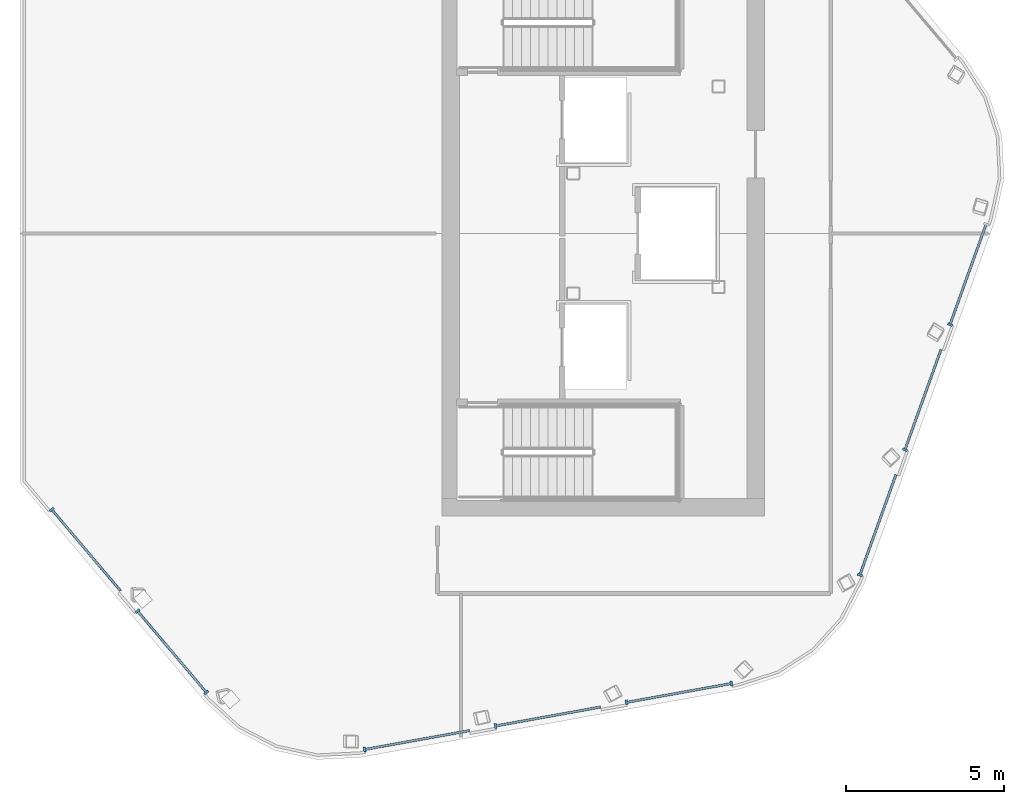
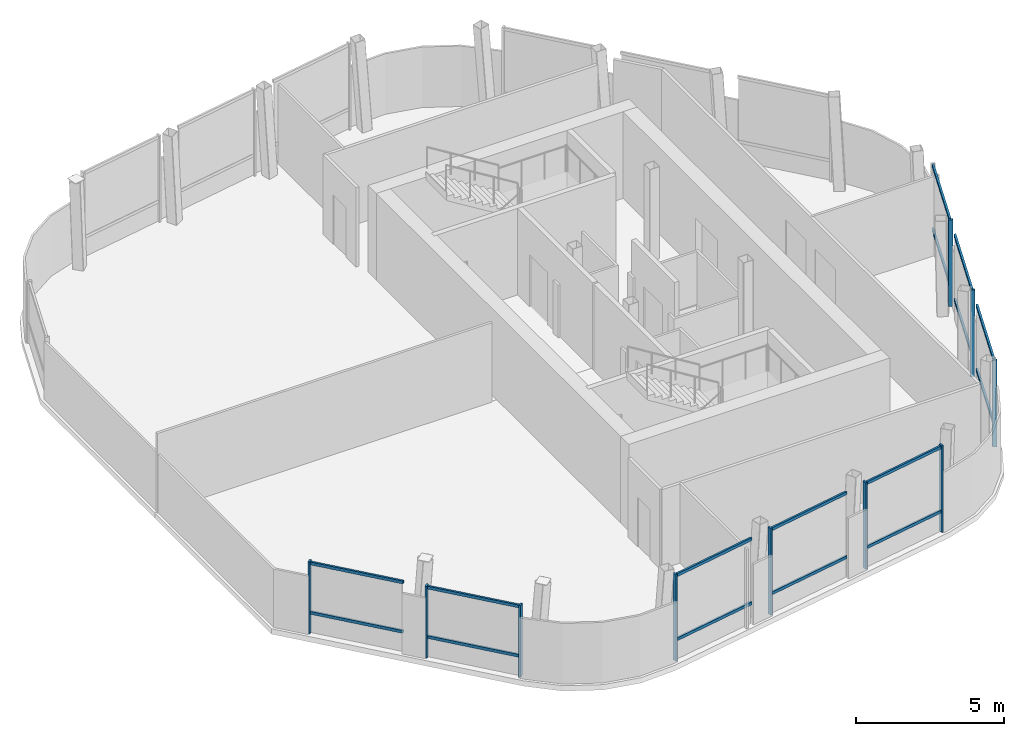
# One storey, part 2 of 8: 26 members, 3 elements without a shape of their own.
"""IFC4 building model written with IfcOpenShell, lengths in metres."""

from ifc_helpers import new_model, si_unit, direction, frame, origin, origin_2d, place, context, subcontext, project, spatial, rectangle, extrude, material, layer, layer_set, material_profile, profile_set, type_object, element, aggregate, save


model = new_model("IFC4")

# Units and contexts
model_context = context("Model", 3, precision=1e-05, world=origin(), true_north=direction((0.0, 1.0)))
body_context = subcontext(model_context, "Body", "Model", "MODEL_VIEW")
ifc_project = project(units=[si_unit("LENGTHUNIT", "METRE"), si_unit("AREAUNIT", "SQUARE_METRE"), si_unit("VOLUMEUNIT", "CUBIC_METRE"), si_unit("PLANEANGLEUNIT", "RADIAN"), si_unit("MASSUNIT", "GRAM", prefix="KILO")], contexts=[model_context])

# Site, building, storey
site_placement = place(None, origin())
site = spatial("IfcSite", under=ifc_project, at=site_placement, CompositionType="ELEMENT")
building_placement = place(site_placement, origin())
building = spatial("IfcBuilding", under=site, at=building_placement, Name="Valkerne Bourse Tower", CompositionType="ELEMENT")
storey_placement = place(building_placement, frame((0.0, 0.0, 326.800048828125)))
storey = spatial("IfcBuildingStorey", under=building, at=storey_placement, Name="L83", CompositionType="ELEMENT", Elevation=326.800048828125)

# Curtain wall, members
ifc_material = material(Name="Aluminium AA 6063-T6", Category="aluminium")
ifc_layer = layer(ifc_material, 0.25)
ifc_layer_set = layer_set([ifc_layer], Name="Aluminium AA 6063-T6")
curtain_wall_type = type_object("IfcCurtainWallType", Name="CW-06", PredefinedType="NOTDEFINED", material=ifc_layer_set)
curtain_wall_1_placement = place(storey_placement, origin())
curtain_wall_1 = element("IfcCurtainWall", 1, at=curtain_wall_1_placement, inside=storey, type_object=curtain_wall_type, Name="L83 Hexagonal Stick Curtain Wall Face 3", PredefinedType="NOTDEFINED")
ifc_material_profile_1 = material_profile(ifc_material, rectangle(XDim=0.074951171875, YDim=0.159912109375, at=origin_2d()), Name="CWM-75X160")
ifc_profile_set_1 = profile_set([ifc_material_profile_1], Name="Aluminium AA 6063-T6")
member_type_1 = type_object("IfcMemberType", Name="CW-MUL-160X75", PredefinedType="MULLION", material=ifc_profile_set_1)
member_1_placement = place(storey_placement, frame((33.84326171875, 18.25830078125, 0.0), z_axis=(0.0, 0.0, 1.0), x_axis=(0.645463188737, -0.763791379884, 0.0)))
member_1 = element("IfcMember", 2, at=member_1_placement, type_object=member_type_1, Name="CW-L83-F3 Jamb Mullion 00A", PredefinedType="MULLION", context=body_context, shape_type="SweptSolid", body=[
    extrude(rectangle(XDim=0.074951171875, YDim=0.159912109375, at=origin_2d()), origin(), (0.0, 0.0, 1.0), 2.9716796875),
])
member_2_placement = place(storey_placement, frame((36.56201171875, 15.041015625, 0.0), z_axis=(0.0, 0.0, 1.0), x_axis=(0.645463188737, -0.763791379884, 0.0)))
member_2 = element("IfcMember", 3, at=member_2_placement, type_object=member_type_1, Name="CW-L83-F3 Jamb Mullion 01A", PredefinedType="MULLION", context=body_context, shape_type="SweptSolid", body=[
    extrude(rectangle(XDim=0.074951171875, YDim=0.159912109375, at=origin_2d()), origin(), (0.0, 0.0, 1.0), 2.9716796875),
])
member_3_placement = place(storey_placement, frame((38.738525390625, 12.465576171875, 0.0), z_axis=(0.0, 0.0, 1.0), x_axis=(0.645463188737, -0.763791379884, 0.0)))
member_3 = element("IfcMember", 4, at=member_3_placement, type_object=member_type_1, Name="CW-L83-F3 Jamb Mullion 01B", PredefinedType="MULLION", context=body_context, shape_type="SweptSolid", body=[
    extrude(rectangle(XDim=0.074951171875, YDim=0.159912109375, at=origin_2d()), origin(), (0.0, 0.0, 1.0), 2.9716796875),
])

curtain_wall_2_placement = place(storey_placement, origin())
curtain_wall_2 = element("IfcCurtainWall", 5, at=curtain_wall_2_placement, inside=storey, type_object=curtain_wall_type, Name="L83 Hexagonal Stick Curtain Wall Face 4", PredefinedType="NOTDEFINED")
member_4_placement = place(storey_placement, frame((43.746826171875, 10.662353515625, 0.0), z_axis=(0.0, 0.0, 1.0), x_axis=(0.98419532574, 0.177086308879, 0.0)))
member_4 = element("IfcMember", 6, at=member_4_placement, type_object=member_type_1, Name="CW-L83-F4 Jamb Mullion 00A", PredefinedType="MULLION", context=body_context, shape_type="SweptSolid", body=[
    extrude(rectangle(XDim=0.074951171875, YDim=0.159912109375, at=origin_2d()), origin(), (0.0, 0.0, 1.0), 3.579833984375),
])
member_5_placement = place(storey_placement, frame((47.892333984375, 11.408203125, 0.0), z_axis=(0.0, 0.0, 1.0), x_axis=(0.984194581197, 0.177090446787, 0.0)))
member_5 = element("IfcMember", 7, at=member_5_placement, type_object=member_type_1, Name="CW-L83-F4 Jamb Mullion 01A", PredefinedType="MULLION", context=body_context, shape_type="SweptSolid", body=[
    extrude(rectangle(XDim=0.074951171875, YDim=0.159912109375, at=origin_2d()), origin(), (0.0, 0.0, 1.0), 3.579833984375),
])
member_6_placement = place(storey_placement, frame((52.037841796875, 12.154296875, 0.0), z_axis=(0.0, 0.0, 1.0), x_axis=(0.984194581197, 0.177090446787, 0.0)))
member_6 = element("IfcMember", 8, at=member_6_placement, type_object=member_type_1, Name="CW-L83-F4 Jamb Mullion 02A", PredefinedType="MULLION", context=body_context, shape_type="SweptSolid", body=[
    extrude(rectangle(XDim=0.074951171875, YDim=0.159912109375, at=origin_2d()), origin(), (0.0, 0.0, 1.0), 3.579833984375),
])
member_7_placement = place(storey_placement, frame((55.3564453125, 12.751220703125, 0.0), z_axis=(0.0, 0.0, 1.0), x_axis=(0.984194581197, 0.177090446787, 0.0)))
member_7 = element("IfcMember", 9, at=member_7_placement, type_object=member_type_1, Name="CW-L83-F4 Jamb Mullion 02B", PredefinedType="MULLION", context=body_context, shape_type="SweptSolid", body=[
    extrude(rectangle(XDim=0.074951171875, YDim=0.159912109375, at=origin_2d()), origin(), (0.0, 0.0, 1.0), 3.579833984375),
])

curtain_wall_3_placement = place(storey_placement, origin())
curtain_wall_3 = element("IfcCurtainWall", 10, at=curtain_wall_3_placement, inside=storey, type_object=curtain_wall_type, Name="L83 Hexagonal Stick Curtain Wall Face 5", PredefinedType="NOTDEFINED")
member_8_placement = place(storey_placement, frame((59.42236328125, 16.18701171875, 0.0), z_axis=(0.0, 0.0, 1.0), x_axis=(0.338723671841, 0.940885898573, 0.0)))
member_8 = element("IfcMember", 11, at=member_8_placement, type_object=member_type_1, Name="CW-L83-F5 Jamb Mullion 00A", PredefinedType="MULLION", context=body_context, shape_type="SweptSolid", body=[
    extrude(rectangle(XDim=0.074951171875, YDim=0.159912109375, at=origin_2d()), origin(), (0.0, 0.0, 1.0), 3.579833984375),
])
member_9_placement = place(storey_placement, frame((60.84912109375, 20.150146484375, 0.0), z_axis=(0.0, 0.0, 1.0), x_axis=(0.338744689362, 0.940878331895, 0.0)))
member_9 = element("IfcMember", 12, at=member_9_placement, type_object=member_type_1, Name="CW-L83-F5 Jamb Mullion 01A", PredefinedType="MULLION", context=body_context, shape_type="SweptSolid", body=[
    extrude(rectangle(XDim=0.074951171875, YDim=0.159912109375, at=origin_2d()), origin(), (0.0, 0.0, 1.0), 3.579833984375),
])
member_10_placement = place(storey_placement, frame((62.27587890625, 24.113037109375, 0.0), z_axis=(0.0, 0.0, 1.0), x_axis=(0.338744689362, 0.940878331895, 0.0)))
member_10 = element("IfcMember", 13, at=member_10_placement, type_object=member_type_1, Name="CW-L83-F5 Jamb Mullion 02A", PredefinedType="MULLION", context=body_context, shape_type="SweptSolid", body=[
    extrude(rectangle(XDim=0.074951171875, YDim=0.159912109375, at=origin_2d()), origin(), (0.0, 0.0, 1.0), 3.579833984375),
])

# Member
ifc_material_profile_2 = material_profile(ifc_material, rectangle(XDim=0.074951171875, YDim=0.1201171875, at=origin_2d()), Name="CWT-75X120")
ifc_profile_set_2 = profile_set([ifc_material_profile_2], Name="Aluminium AA 6063-T6")
member_type_2 = type_object("IfcMemberType", Name="CW-TRN-120X75", PredefinedType="USERDEFINED", material=ifc_profile_set_2)
member_11_placement = place(storey_placement, frame((33.84326171875, 18.25830078125, 0.849853515625), z_axis=(0.645439051461, -0.763811777108, 0.0), x_axis=(0.763811777108, 0.645439051461, 0.0)))
member_11 = element("IfcMember", 14, at=member_11_placement, type_object=member_type_2, Name="CW-L83-F3 Bay Transom 00-1", ObjectType="TRANSOM", PredefinedType="USERDEFINED", context=body_context, shape_type="SweptSolid", body=[
    extrude(rectangle(XDim=0.074951171875, YDim=0.1201171875, at=origin_2d()), origin(), (0.0, 0.0, 1.0), 3.3720703125),
])

member_12_placement = place(storey_placement, frame((33.84326171875, 18.25830078125, 2.8916015625), z_axis=(0.645439051461, -0.763811777108, 0.0), x_axis=(0.763811777108, 0.645439051461, 0.0)))
member_12 = element("IfcMember", 15, at=member_12_placement, type_object=member_type_2, Name="CW-L83-F3 Bay Transom 00-2", ObjectType="TRANSOM", PredefinedType="USERDEFINED", context=body_context, shape_type="SweptSolid", body=[
    extrude(rectangle(XDim=0.074951171875, YDim=0.1201171875, at=origin_2d()), origin(), (0.0, 0.0, 1.0), 3.3720703125),
])

member_13_placement = place(storey_placement, frame((36.56201171875, 15.041015625, 0.849853515625), z_axis=(0.645474745108, -0.763781613701, 0.0), x_axis=(0.763781613701, 0.645474745108, 0.0)))
member_13 = element("IfcMember", 16, at=member_13_placement, type_object=member_type_2, Name="CW-L83-F3 Bay Transom 01-1", ObjectType="TRANSOM", PredefinedType="USERDEFINED", context=body_context, shape_type="SweptSolid", body=[
    extrude(rectangle(XDim=0.074951171875, YDim=0.1201171875, at=origin_2d()), origin(), (0.0, 0.0, 1.0), 3.3720703125),
])

member_14_placement = place(storey_placement, frame((36.56201171875, 15.041015625, 2.8916015625), z_axis=(0.645474745108, -0.763781613701, 0.0), x_axis=(0.763781613701, 0.645474745108, 0.0)))
member_14 = element("IfcMember", 17, at=member_14_placement, type_object=member_type_2, Name="CW-L83-F3 Bay Transom 01-2", ObjectType="TRANSOM", PredefinedType="USERDEFINED", context=body_context, shape_type="SweptSolid", body=[
    extrude(rectangle(XDim=0.074951171875, YDim=0.1201171875, at=origin_2d()), origin(), (0.0, 0.0, 1.0), 3.3720703125),
])

aggregate(curtain_wall_1, [member_1, member_11, member_12, member_2, member_3, member_13, member_14])

member_15_placement = place(storey_placement, frame((43.746826171875, 10.662353515625, 0.849853515625), z_axis=(0.984194934906, 0.177088481005, 0.0), x_axis=(-0.177088481005, 0.984194934906, 0.0)))
member_15 = element("IfcMember", 18, at=member_15_placement, type_object=member_type_2, Name="CW-L83-F4 Bay Transom 00-1", ObjectType="TRANSOM", PredefinedType="USERDEFINED", context=body_context, shape_type="SweptSolid", body=[
    extrude(rectangle(XDim=0.074951171875, YDim=0.1201171875, at=origin_2d()), origin(), (0.0, 0.0, 1.0), 3.3720703125),
])

member_16_placement = place(storey_placement, frame((43.746826171875, 10.662353515625, 3.5), z_axis=(0.984194934906, 0.177088481005, 0.0), x_axis=(-0.177088481005, 0.984194934906, 0.0)))
member_16 = element("IfcMember", 19, at=member_16_placement, type_object=member_type_2, Name="CW-L83-F4 Bay Transom 00-2", ObjectType="TRANSOM", PredefinedType="USERDEFINED", context=body_context, shape_type="SweptSolid", body=[
    extrude(rectangle(XDim=0.074951171875, YDim=0.1201171875, at=origin_2d()), origin(), (0.0, 0.0, 1.0), 3.3720703125),
])

member_17_placement = place(storey_placement, frame((47.892333984375, 11.408203125, 0.849853515625), z_axis=(0.9841926642, 0.177101100319, 0.0), x_axis=(-0.177101100319, 0.9841926642, 0.0)))
member_17 = element("IfcMember", 20, at=member_17_placement, type_object=member_type_2, Name="CW-L83-F4 Bay Transom 01-1", ObjectType="TRANSOM", PredefinedType="USERDEFINED", context=body_context, shape_type="SweptSolid", body=[
    extrude(rectangle(XDim=0.074951171875, YDim=0.1201171875, at=origin_2d()), origin(), (0.0, 0.0, 1.0), 3.371826171875),
])

member_18_placement = place(storey_placement, frame((47.892333984375, 11.408203125, 3.5), z_axis=(0.9841926642, 0.177101100319, 0.0), x_axis=(-0.177101100319, 0.9841926642, 0.0)))
member_18 = element("IfcMember", 21, at=member_18_placement, type_object=member_type_2, Name="CW-L83-F4 Bay Transom 01-2", ObjectType="TRANSOM", PredefinedType="USERDEFINED", context=body_context, shape_type="SweptSolid", body=[
    extrude(rectangle(XDim=0.074951171875, YDim=0.1201171875, at=origin_2d()), origin(), (0.0, 0.0, 1.0), 3.371826171875),
])

member_19_placement = place(storey_placement, frame((52.037841796875, 12.154296875, 0.849853515625), z_axis=(0.984205282062, 0.177030965544, 0.0), x_axis=(-0.177030965544, 0.984205282062, 0.0)))
member_19 = element("IfcMember", 22, at=member_19_placement, type_object=member_type_2, Name="CW-L83-F4 Bay Transom 02-1", ObjectType="TRANSOM", PredefinedType="USERDEFINED", context=body_context, shape_type="SweptSolid", body=[
    extrude(rectangle(XDim=0.074951171875, YDim=0.1201171875, at=origin_2d()), origin(), (0.0, 0.0, 1.0), 3.371826171875),
])

member_20_placement = place(storey_placement, frame((52.037841796875, 12.154296875, 3.5), z_axis=(0.984205282062, 0.177030965544, 0.0), x_axis=(-0.177030965544, 0.984205282062, 0.0)))
member_20 = element("IfcMember", 23, at=member_20_placement, type_object=member_type_2, Name="CW-L83-F4 Bay Transom 02-2", ObjectType="TRANSOM", PredefinedType="USERDEFINED", context=body_context, shape_type="SweptSolid", body=[
    extrude(rectangle(XDim=0.074951171875, YDim=0.1201171875, at=origin_2d()), origin(), (0.0, 0.0, 1.0), 3.371826171875),
])

aggregate(curtain_wall_2, [member_4, member_15, member_16, member_5, member_17, member_18, member_6, member_7, member_19, member_20])

member_21_placement = place(storey_placement, frame((59.42236328125, 16.18701171875, 0.849853515625), z_axis=(0.338683576059, 0.940900332292, 0.0), x_axis=(-0.940900332292, 0.338683576059, 0.0)))
member_21 = element("IfcMember", 24, at=member_21_placement, type_object=member_type_2, Name="CW-L83-F5 Bay Transom 00-1", ObjectType="TRANSOM", PredefinedType="USERDEFINED", context=body_context, shape_type="SweptSolid", body=[
    extrude(rectangle(XDim=0.074951171875, YDim=0.1201171875, at=origin_2d()), origin(), (0.0, 0.0, 1.0), 3.3720703125),
])

member_22_placement = place(storey_placement, frame((59.42236328125, 16.18701171875, 3.5), z_axis=(0.338683576059, 0.940900332292, 0.0), x_axis=(-0.940900332292, 0.338683576059, 0.0)))
member_22 = element("IfcMember", 25, at=member_22_placement, type_object=member_type_2, Name="CW-L83-F5 Bay Transom 00-2", ObjectType="TRANSOM", PredefinedType="USERDEFINED", context=body_context, shape_type="SweptSolid", body=[
    extrude(rectangle(XDim=0.074951171875, YDim=0.1201171875, at=origin_2d()), origin(), (0.0, 0.0, 1.0), 3.3720703125),
])

member_23_placement = place(storey_placement, frame((60.84912109375, 20.150146484375, 0.849853515625), z_axis=(0.338706648808, 0.940892026777, 0.0), x_axis=(-0.940892026777, 0.338706648808, 0.0)))
member_23 = element("IfcMember", 26, at=member_23_placement, type_object=member_type_2, Name="CW-L83-F5 Bay Transom 01-1", ObjectType="TRANSOM", PredefinedType="USERDEFINED", context=body_context, shape_type="SweptSolid", body=[
    extrude(rectangle(XDim=0.074951171875, YDim=0.1201171875, at=origin_2d()), origin(), (0.0, 0.0, 1.0), 3.371826171875),
])

member_24_placement = place(storey_placement, frame((60.84912109375, 20.150146484375, 3.5), z_axis=(0.338706648808, 0.940892026777, 0.0), x_axis=(-0.940892026777, 0.338706648808, 0.0)))
member_24 = element("IfcMember", 27, at=member_24_placement, type_object=member_type_2, Name="CW-L83-F5 Bay Transom 01-2", ObjectType="TRANSOM", PredefinedType="USERDEFINED", context=body_context, shape_type="SweptSolid", body=[
    extrude(rectangle(XDim=0.074951171875, YDim=0.1201171875, at=origin_2d()), origin(), (0.0, 0.0, 1.0), 3.371826171875),
])

member_25_placement = place(storey_placement, frame((62.27587890625, 24.113037109375, 0.849853515625), z_axis=(0.338683576059, 0.940900332292, 0.0), x_axis=(-0.940900332292, 0.338683576059, 0.0)))
member_25 = element("IfcMember", 28, at=member_25_placement, type_object=member_type_2, Name="CW-L83-F5 Bay Transom 02-1", ObjectType="TRANSOM", PredefinedType="USERDEFINED", context=body_context, shape_type="SweptSolid", body=[
    extrude(rectangle(XDim=0.074951171875, YDim=0.1201171875, at=origin_2d()), origin(), (0.0, 0.0, 1.0), 3.3720703125),
])

member_26_placement = place(storey_placement, frame((62.27587890625, 24.113037109375, 3.5), z_axis=(0.338683576059, 0.940900332292, 0.0), x_axis=(-0.940900332292, 0.338683576059, 0.0)))
member_26 = element("IfcMember", 29, at=member_26_placement, type_object=member_type_2, Name="CW-L83-F5 Bay Transom 02-2", ObjectType="TRANSOM", PredefinedType="USERDEFINED", context=body_context, shape_type="SweptSolid", body=[
    extrude(rectangle(XDim=0.074951171875, YDim=0.1201171875, at=origin_2d()), origin(), (0.0, 0.0, 1.0), 3.3720703125),
])

aggregate(curtain_wall_3, [member_8, member_21, member_22, member_9, member_23, member_24, member_10, member_25, member_26])

save(model, "model.ifc")
